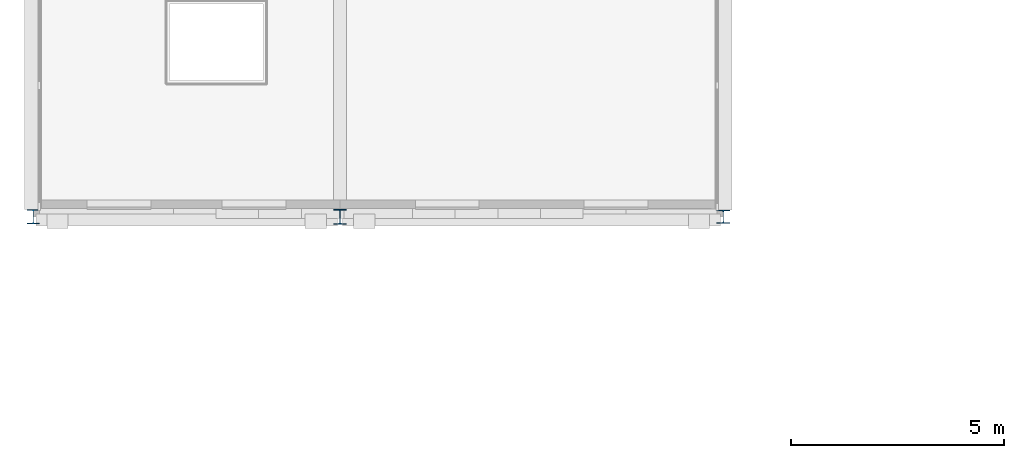
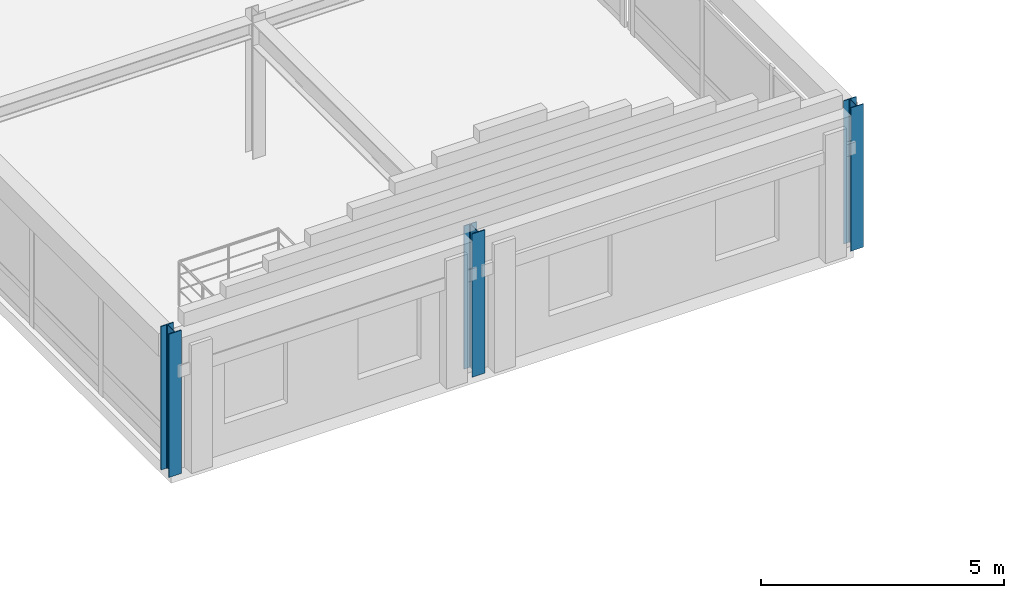
# One storey, part 1 of 52: 3 columns.
"""IFC4 building model written with IfcOpenShell, lengths in metres."""

from ifc_helpers import new_model, si_unit, direction, frame, origin, origin_2d, place, context, subcontext, project, spatial, i_section, extrude, material, material_profile, profile_set, type_object, element, save


model = new_model("IFC4")

# Units and contexts
model_context = context("Model", 3, precision=1e-05, world=origin(), true_north=direction((0.0, 1.0)))
body_context = subcontext(model_context, "Body", "Model", "MODEL_VIEW")
ifc_project = project(units=[si_unit("LENGTHUNIT", "METRE"), si_unit("AREAUNIT", "SQUARE_METRE"), si_unit("VOLUMEUNIT", "CUBIC_METRE"), si_unit("PLANEANGLEUNIT", "RADIAN"), si_unit("MASSUNIT", "GRAM", prefix="KILO")], contexts=[model_context])

# Site, building, storey
site_placement = place(None, origin())
site = spatial("IfcSite", under=ifc_project, at=site_placement, CompositionType="ELEMENT")
building_placement = place(site_placement, origin())
building = spatial("IfcBuilding", under=site, at=building_placement, Name="Clarverna Civic Hall", CompositionType="ELEMENT")
storey_placement = place(building_placement, frame((0.0, 0.0, 16.800048828125)))
storey = spatial("IfcBuildingStorey", under=building, at=storey_placement, Name="L04", CompositionType="ELEMENT", Elevation=16.800048828125)

# Columns
ifc_material = material(Name="Steel S355", Category="steel")
ifc_material_profile_1 = material_profile(ifc_material, i_section(OverallWidth=0.300048828125, OverallDepth=0.35009765625, WebThickness=0.010009765625, FlangeThickness=0.017578125, FilletRadius=0.027099609375, at=origin_2d()), Name="HEA 360")
ifc_profile_set_1 = profile_set([ifc_material_profile_1], Name="Steel S355")
column_type_1 = type_object("IfcColumnType", Name="C-ST11", PredefinedType="COLUMN", material=ifc_profile_set_1)
column_1_placement = place(storey_placement, frame((7.199951171875, 62.60009765625, 0.0), z_axis=(0.0, 0.0, 1.0), x_axis=(1.0, 0.0, 0.0)))
element("IfcColumn", 1, at=column_1_placement, inside=storey, type_object=column_type_1, Name="C-ST11-002", PredefinedType="COLUMN", context=body_context, shape_type="SweptSolid", body=[
    extrude(i_section(OverallWidth=0.300048828125, OverallDepth=0.35009765625, WebThickness=0.010009765625, FlangeThickness=0.017578125, FilletRadius=0.027099609375, at=origin_2d()), origin(), (0.0, 0.0, 1.0), 3.599853515625),
])
ifc_material_profile_2 = material_profile(ifc_material, i_section(OverallWidth=0.300048828125, OverallDepth=0.31005859375, WebThickness=0.009033203125, FlangeThickness=0.015380859375, FilletRadius=0.027099609375, at=origin_2d()), Name="HEA 320")
ifc_profile_set_2 = profile_set([ifc_material_profile_2], Name="Steel S355")
column_type_2 = type_object("IfcColumnType", Name="C-ST12", PredefinedType="COLUMN", material=ifc_profile_set_2)
column_2_placement = place(storey_placement, frame((16.199951171875, 62.60009765625, 0.0), z_axis=(0.0, 0.0, 1.0), x_axis=(1.0, 0.0, 0.0)))
element("IfcColumn", 2, at=column_2_placement, inside=storey, type_object=column_type_2, Name="C-ST12-003", PredefinedType="COLUMN", context=body_context, shape_type="SweptSolid", body=[
    extrude(i_section(OverallWidth=0.300048828125, OverallDepth=0.31005859375, WebThickness=0.009033203125, FlangeThickness=0.015380859375, FilletRadius=0.027099609375, at=origin_2d()), origin(), (0.0, 0.0, 1.0), 3.599853515625),
])
ifc_material_profile_3 = material_profile(ifc_material, i_section(OverallWidth=0.300048828125, OverallDepth=0.340087890625, WebThickness=0.011962890625, FlangeThickness=0.021484375, FilletRadius=0.027099609375, at=origin_2d()), Name="HEB 340")
ifc_profile_set_3 = profile_set([ifc_material_profile_3], Name="Steel S355")
column_type_3 = type_object("IfcColumnType", Name="C-ST5", PredefinedType="COLUMN", material=ifc_profile_set_3)
column_3_placement = place(storey_placement, frame((0.0, 62.60009765625, 0.0), z_axis=(0.0, 0.0, 1.0), x_axis=(1.0, 0.0, 0.0)))
element("IfcColumn", 3, at=column_3_placement, inside=storey, type_object=column_type_3, Name="C-ST5-001", PredefinedType="COLUMN", context=body_context, shape_type="SweptSolid", body=[
    extrude(i_section(OverallWidth=0.300048828125, OverallDepth=0.340087890625, WebThickness=0.011962890625, FlangeThickness=0.021484375, FilletRadius=0.027099609375, at=origin_2d()), origin(), (0.0, 0.0, 1.0), 3.599853515625),
])

save(model, "model.ifc")
